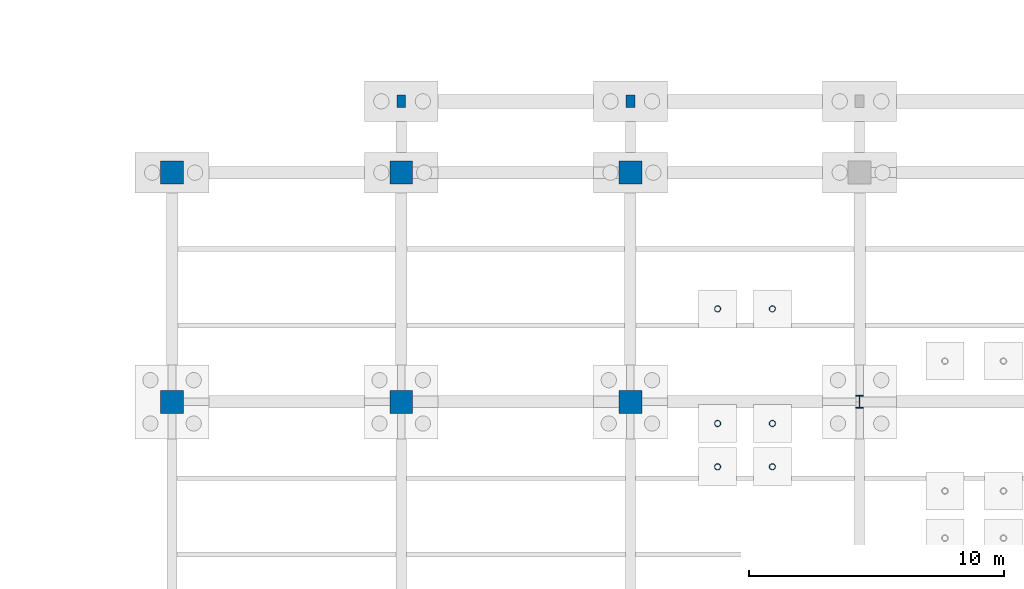
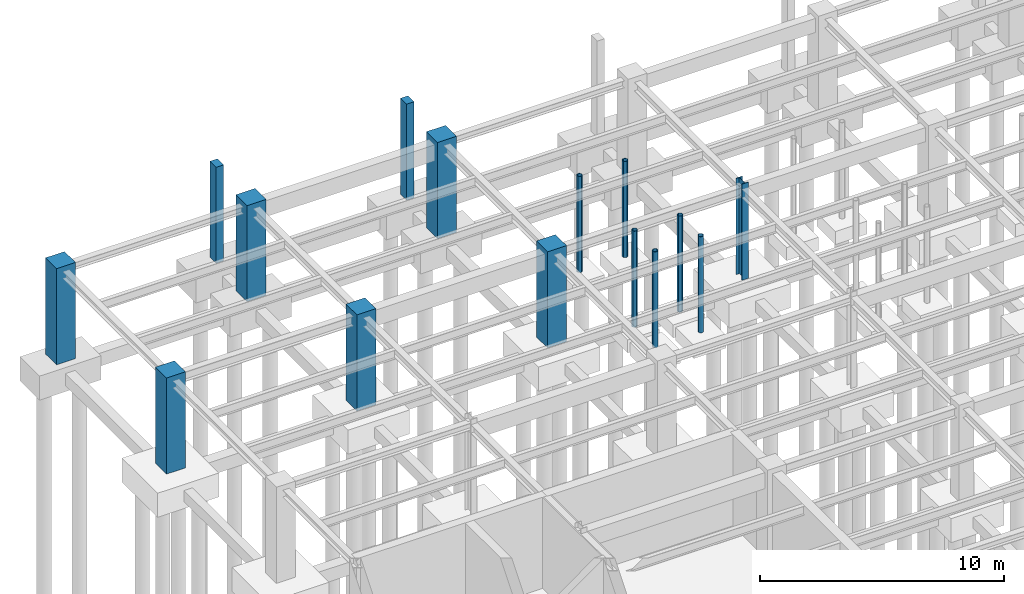
# One storey, part 23 of 49: 15 columns.
"""IFC4 building model written with IfcOpenShell, lengths in metres."""

from ifc_helpers import new_model, si_unit, direction, frame, origin, origin_2d, place, context, subcontext, project, spatial, rectangle, hollow_circle, i_section, extrude, material, material_profile, profile_set, type_object, element, save


model = new_model("IFC4")

# Units and contexts
model_context = context("Model", 3, precision=1e-05, world=origin(), true_north=direction((0.0, 1.0)))
body_context = subcontext(model_context, "Body", "Model", "MODEL_VIEW")
ifc_project = project(units=[si_unit("LENGTHUNIT", "METRE"), si_unit("AREAUNIT", "SQUARE_METRE"), si_unit("VOLUMEUNIT", "CUBIC_METRE"), si_unit("PLANEANGLEUNIT", "RADIAN"), si_unit("MASSUNIT", "GRAM", prefix="KILO")], contexts=[model_context])

# Site, building, storey
site_placement = place(None, origin())
site = spatial("IfcSite", under=ifc_project, at=site_placement, CompositionType="ELEMENT")
building_placement = place(site_placement, origin())
building = spatial("IfcBuilding", under=site, at=building_placement, Name="Lykobir Media Centre", CompositionType="ELEMENT")
storey_placement = place(building_placement, frame((0.0, 0.0, -4.800048828125)))
storey = spatial("IfcBuildingStorey", under=building, at=storey_placement, Name="B1", CompositionType="ELEMENT", Elevation=-4.800048828125)

# Columns
ifc_material_1 = material(Name="Honed Travertine Stone", Category="masonry")
ifc_material_profile_1 = material_profile(ifc_material_1, rectangle(XDim=0.35009765625, YDim=0.5, at=origin_2d()), Name="RC PILASTER 500x350")
ifc_profile_set_1 = profile_set([ifc_material_profile_1], Name="Honed Travertine Stone")
column_type_1 = type_object("IfcColumnType", Name="PIL-500", PredefinedType="PILASTER", material=ifc_profile_set_1)
for number, where, z_axis, x_axis, name in (
    (1, (36.0, 110.800048828125, 0.0), (0.0, 0.0, 1.0), (1.0, 0.0, 0.0), "North Revak B1 pier 36.0"),
    (2, (45.0, 110.800048828125, 0.0), (0.0, 0.0, 1.0), (1.0, 0.0, 0.0), "North Revak B1 pier 45.0"),
):
    element("IfcColumn", number, at=place(storey_placement, frame(where, z_axis=z_axis, x_axis=x_axis)), inside=storey, type_object=column_type_1, Name=name, PredefinedType="PILASTER", context=body_context, shape_type="SweptSolid", body=[
        extrude(rectangle(XDim=0.35009765625, YDim=0.5, at=origin_2d()), origin(), (0.0, 0.0, 1.0), 4.800048828125),
    ])
ifc_material_2 = material(Name="Concrete C40/50", Category="concrete")
ifc_material_profile_2 = material_profile(ifc_material_2, rectangle(XDim=0.89990234375, YDim=0.89990234375, at=origin_2d()), Name="RC 900x900")
ifc_profile_set_2 = profile_set([ifc_material_profile_2], Name="Concrete C40/50")
column_type_2 = type_object("IfcColumnType", Name="RC-C900", PredefinedType="COLUMN", material=ifc_profile_set_2)
for number, where, z_axis, x_axis, name in (
    (3, (27.0, 99.0, 0.0), (0.0, 0.0, 1.0), (1.0, 0.0, 0.0), "Column COL-B1-0270-0990"),
    (4, (36.0, 99.0, 0.0), (0.0, 0.0, 1.0), (1.0, 0.0, 0.0), "Column COL-B1-0360-0990"),
    (5, (45.0, 99.0, 0.0), (0.0, 0.0, 1.0), (1.0, 0.0, 0.0), "Column COL-B1-0450-0990"),
):
    element("IfcColumn", number, at=place(storey_placement, frame(where, z_axis=z_axis, x_axis=x_axis)), inside=storey, type_object=column_type_2, Name=name, PredefinedType="COLUMN", context=body_context, shape_type="SweptSolid", body=[
        extrude(rectangle(XDim=0.89990234375, YDim=0.89990234375, at=origin_2d()), origin(), (0.0, 0.0, 1.0), 4.800048828125),
    ])
ifc_material_profile_3 = material_profile(ifc_material_2, rectangle(XDim=0.89990234375, YDim=0.89990234375, at=origin_2d()), Name="RC 900x900")
ifc_profile_set_3 = profile_set([ifc_material_profile_3], Name="Concrete C40/50")
column_type_3 = type_object("IfcColumnType", Name="RC-C900-E", PredefinedType="COLUMN", material=ifc_profile_set_3)
for number, where, z_axis, x_axis, name in (
    (6, (27.0, 108.0, 0.0), (0.0, 0.0, 1.0), (1.0, 0.0, 0.0), "Column COL-B1-0270-1080"),
    (7, (36.0, 108.0, 0.0), (0.0, 0.0, 1.0), (1.0, 0.0, 0.0), "Column COL-B1-0360-1080"),
    (8, (45.0, 108.0, 0.0), (0.0, 0.0, 1.0), (1.0, 0.0, 0.0), "Column COL-B1-0450-1080"),
):
    element("IfcColumn", number, at=place(storey_placement, frame(where, z_axis=z_axis, x_axis=x_axis)), inside=storey, type_object=column_type_3, Name=name, PredefinedType="COLUMN", context=body_context, shape_type="SweptSolid", body=[
        extrude(rectangle(XDim=0.89990234375, YDim=0.89990234375, at=origin_2d()), origin(), (0.0, 0.0, 1.0), 4.800048828125),
    ])
ifc_material_3 = material(Name="Steel S355", Category="steel")
ifc_material_profile_4 = material_profile(ifc_material_3, hollow_circle(Radius=0.122314453125, WallThickness=0.012451171875, at=origin_2d()), Name="CHS 244.5x12.5")
ifc_profile_set_4 = profile_set([ifc_material_profile_4], Name="Steel S355")
column_type_4 = type_object("IfcColumnType", Name="SC-CHS244", PredefinedType="COLUMN", material=ifc_profile_set_4)
for number, where, z_axis, x_axis, name in (
    (9, (48.425048828125, 96.449951171875, 0.0), (0.0, 0.0, 1.0), (1.0, 0.0, 0.0), "Valley stair column B1 4-484-964"),
    (10, (48.425048828125, 98.14990234375, 0.0), (0.0, 0.0, 1.0), (1.0, 0.0, 0.0), "Valley stair column B1 4-484-982"),
    (11, (50.574951171875, 96.449951171875, 0.0), (0.0, 0.0, 1.0), (1.0, 0.0, 0.0), "Valley stair column B1 4-506-964"),
    (12, (50.574951171875, 98.14990234375, 0.0), (0.0, 0.0, 1.0), (1.0, 0.0, 0.0), "Valley stair column B1 4-506-982"),
    (13, (48.425048828125, 102.64990234375, 0.0), (0.0, 0.0, 1.0), (1.0, 0.0, 0.0), "Valley arrival column B1 A4-484"),
    (14, (50.574951171875, 102.64990234375, 0.0), (0.0, 0.0, 1.0), (1.0, 0.0, 0.0), "Valley arrival column B1 A4-506"),
):
    element("IfcColumn", number, at=place(storey_placement, frame(where, z_axis=z_axis, x_axis=x_axis)), inside=storey, type_object=column_type_4, Name=name, PredefinedType="COLUMN", context=body_context, shape_type="SweptSolid", body=[
        extrude(hollow_circle(Radius=0.122314453125, WallThickness=0.012451171875, at=origin_2d()), origin(), (0.0, 0.0, 1.0), 4.800048828125),
    ])
ifc_material_profile_5 = material_profile(ifc_material_3, i_section(OverallWidth=0.300048828125, OverallDepth=0.5, WebThickness=0.014404296875, FlangeThickness=0.028076171875, at=origin_2d()), Name="HEB 500")
ifc_profile_set_5 = profile_set([ifc_material_profile_5], Name="Steel S355")
column_type_5 = type_object("IfcColumnType", Name="SC-HEB500", PredefinedType="COLUMN", material=ifc_profile_set_5)
column_placement = place(storey_placement, frame((54.0, 99.0, 0.0), z_axis=(0.0, 0.0, 1.0), x_axis=(1.0, 0.0, 0.0)))
element("IfcColumn", 15, at=column_placement, inside=storey, type_object=column_type_5, Name="Column COL-B1-0540-0990", PredefinedType="COLUMN", context=body_context, shape_type="SweptSolid", body=[
    extrude(i_section(OverallWidth=0.300048828125, OverallDepth=0.5, WebThickness=0.014404296875, FlangeThickness=0.028076171875, at=origin_2d()), origin(), (0.0, 0.0, 1.0), 4.800048828125),
])

save(model, "model.ifc")
